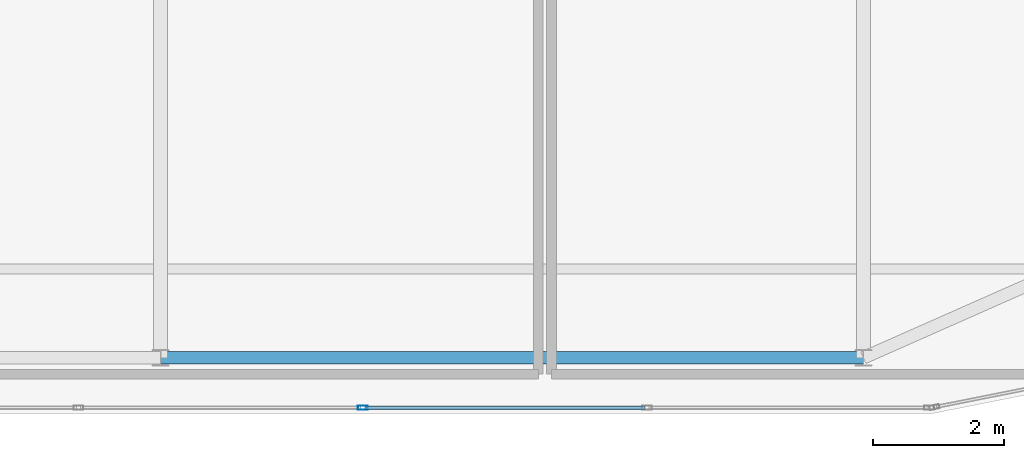
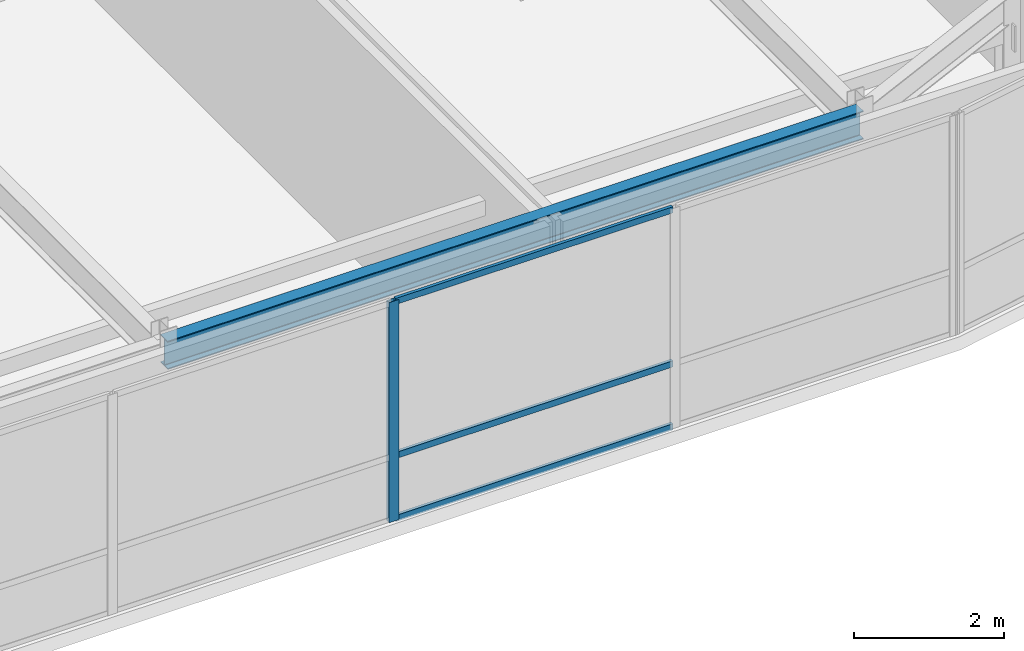
# One storey, part 12 of 36: 4 members, 1 beam, 1 element without a shape of its own.
"""IFC4 building model written with IfcOpenShell, lengths in metres."""

from ifc_helpers import new_model, si_unit, direction, frame, origin, origin_2d, place, context, subcontext, project, spatial, hollow_rectangle, i_section, extrude, source, transform, mapped, material, layer, layer_set, material_profile, profile_set, type_object, type_shapes, element, aggregate, save


model = new_model("IFC4")

# Units and contexts
model_context = context("Model", 3, precision=1e-05, world=origin(), true_north=direction((0.0, 1.0)))
body_context = subcontext(model_context, "Body", "Model", "MODEL_VIEW")
ifc_project = project(units=[si_unit("LENGTHUNIT", "METRE"), si_unit("AREAUNIT", "SQUARE_METRE"), si_unit("VOLUMEUNIT", "CUBIC_METRE"), si_unit("PLANEANGLEUNIT", "RADIAN"), si_unit("MASSUNIT", "GRAM", prefix="KILO")], contexts=[model_context])

# Site, building, storey
site_placement = place(None, origin())
site = spatial("IfcSite", under=ifc_project, at=site_placement, CompositionType="ELEMENT")
building_placement = place(site_placement, origin())
building = spatial("IfcBuilding", under=site, at=building_placement, Name="Tolvann Quenvar Hotel", CompositionType="ELEMENT")
storey_placement = place(building_placement, frame((0.0, 0.0, 302.35009765625)))
storey = spatial("IfcBuildingStorey", under=building, at=storey_placement, Name="L80", CompositionType="ELEMENT", Elevation=302.35009765625)

# Beam
ifc_material_1 = material(Name="Steel Grade 350", Category="steel")
ifc_material_profile_1 = material_profile(ifc_material_1, i_section(OverallWidth=0.19091796875, OverallDepth=0.4599609375, WebThickness=0.010009765625, FlangeThickness=0.01611328125, FilletRadius=0.011474609375, at=origin_2d()), Name="460UB82")
ifc_profile_set_1 = profile_set([ifc_material_profile_1], Name="Steel Grade 350")
beam_type = type_object("IfcBeamType", Name="BM_SPAND_460UB82", PredefinedType="SPANDREL", material=ifc_profile_set_1)
shared_shape_1 = source(origin(), body_context, "Body", "SweptSolid", [
    extrude(i_section(OverallWidth=0.19091796875, OverallDepth=0.4599609375, WebThickness=0.010009765625, FlangeThickness=0.01611328125, FilletRadius=0.011474609375, at=origin_2d()), origin(), (0.0, 0.0, 1.0), 10.699951171875),
])
type_shapes(beam_type, [shared_shape_1])
beam_placement = place(storey_placement, frame((22.050048828125, 7.050048828125, 3.349853515625), z_axis=(1.0, 0.0, 0.0), x_axis=(0.0, 1.0, 0.0)))
element("IfcBeam", 1, at=beam_placement, inside=storey, type_object=beam_type, Name="BM-L80-EW-2-E2-FP2", PredefinedType="SPANDREL", context=body_context, shape_type="MappedRepresentation", body=[
    mapped(shared_shape_1, transform((0.0, 0.0, 0.0), x_axis=(1.0, 0.0, 0.0), y_axis=(0.0, 1.0, 0.0), z_axis=(0.0, 0.0, 1.0), scale=1.0)),
])

# Curtain wall, members
ifc_material_2 = material(Name="Thermally broken anodised architectural aluminium 6063-T6 and laminated low-E glass", Category="aluminium")
ifc_layer = layer(ifc_material_2, 0.179931640625)
ifc_layer_set = layer_set([ifc_layer], Name="Thermally broken anodised architectural aluminium 6063-T6 and laminated low-E glass")
curtain_wall_type = type_object("IfcCurtainWallType", Name="CW_SYS_LANT_06", PredefinedType="USERDEFINED", material=ifc_layer_set)
curtain_wall_placement = place(storey_placement, origin())
curtain_wall = element("IfcCurtainWall", 2, at=curtain_wall_placement, inside=storey, type_object=curtain_wall_type, Name="Curtain Wall CW-LANT-06 (CWR-L80-E04)", ObjectType="UNITISED CURTAIN WALL", PredefinedType="USERDEFINED")
ifc_material_3 = material(Name="Anodised architectural aluminium 6063-T6 framing", Category="aluminium")
ifc_material_profile_2 = material_profile(ifc_material_3, hollow_rectangle(XDim=0.050048828125, YDim=0.10009765625, WallThickness=0.0029296875, at=origin_2d()), Name="100x50x3RHS")
ifc_profile_set_2 = profile_set([ifc_material_profile_2], Name="Anodised architectural aluminium 6063-T6 framing")
member_type_1 = type_object("IfcMemberType", Name="CW_TRAN_100x50", PredefinedType="USERDEFINED", material=ifc_profile_set_2)
shared_shape_2 = source(origin(), body_context, "Body", "SweptSolid", [
    extrude(hollow_rectangle(XDim=0.050048828125, YDim=0.10009765625, WallThickness=0.0029296875, at=origin_2d()), origin(), (0.0, 0.0, 1.0), 4.262451171875),
])
type_shapes(member_type_1, [shared_shape_2])
member_1_placement = place(storey_placement, frame((25.16015625, 6.2900390625, 0.02490234375), z_axis=(1.0, 0.0, 0.0), x_axis=(0.0, 1.0, 0.0)))
member_1 = element("IfcMember", 3, at=member_1_placement, type_object=member_type_1, Name="CW-LANT-06 transom 5.1", ObjectType="TRANSOM", PredefinedType="USERDEFINED", context=body_context, shape_type="MappedRepresentation", body=[
    mapped(shared_shape_2, transform((0.0, 0.0, 0.0), x_axis=(1.0, 0.0, 0.0), y_axis=(0.0, 1.0, 0.0), z_axis=(0.0, 0.0, 1.0), scale=1.0)),
])
member_2_placement = place(storey_placement, frame((25.16015625, 6.2900390625, 1.0498046875), z_axis=(1.0, 0.0, 0.0), x_axis=(0.0, 1.0, 0.0)))
member_2 = element("IfcMember", 4, at=member_2_placement, type_object=member_type_1, Name="CW-LANT-06 transom 5.2", ObjectType="TRANSOM", PredefinedType="USERDEFINED", context=body_context, shape_type="MappedRepresentation", body=[
    mapped(shared_shape_2, transform((0.0, 0.0, 0.0), x_axis=(1.0, 0.0, 0.0), y_axis=(0.0, 1.0, 0.0), z_axis=(0.0, 0.0, 1.0), scale=1.0)),
])
member_3_placement = place(storey_placement, frame((25.16015625, 6.2900390625, 3.554931640625), z_axis=(1.0, 0.0, 0.0), x_axis=(0.0, 1.0, 0.0)))
member_3 = element("IfcMember", 5, at=member_3_placement, type_object=member_type_1, Name="CW-LANT-06 transom 5.3", ObjectType="TRANSOM", PredefinedType="USERDEFINED", context=body_context, shape_type="MappedRepresentation", body=[
    mapped(shared_shape_2, transform((0.0, 0.0, 0.0), x_axis=(1.0, 0.0, 0.0), y_axis=(0.0, 1.0, 0.0), z_axis=(0.0, 0.0, 1.0), scale=1.0)),
])
ifc_material_profile_3 = material_profile(ifc_material_3, hollow_rectangle(XDim=0.06494140625, YDim=0.14990234375, WallThickness=0.00390625, at=origin_2d()), Name="150x65x4RHS")
ifc_profile_set_3 = profile_set([ifc_material_profile_3], Name="Anodised architectural aluminium 6063-T6 framing")
member_type_2 = type_object("IfcMemberType", Name="CW_MULL_150x65", PredefinedType="MULLION", material=ifc_profile_set_3)
shared_shape_3 = source(origin(), body_context, "Body", "SweptSolid", [
    extrude(hollow_rectangle(XDim=0.06494140625, YDim=0.14990234375, WallThickness=0.00390625, at=origin_2d()), origin(), (0.0, 0.0, 1.0), 3.579833984375),
])
type_shapes(member_type_2, [shared_shape_3])
member_4_placement = place(storey_placement, frame((25.127685546875, 6.2900390625, 0.0), z_axis=(0.0, 0.0, 1.0), x_axis=(0.0, 1.0, 0.0)))
member_4 = element("IfcMember", 6, at=member_4_placement, type_object=member_type_2, Name="CW-LANT-06 mullion 5", PredefinedType="MULLION", context=body_context, shape_type="MappedRepresentation", body=[
    mapped(shared_shape_3, transform((0.0, 0.0, 0.0), x_axis=(1.0, 0.0, 0.0), y_axis=(0.0, 1.0, 0.0), z_axis=(0.0, 0.0, 1.0), scale=1.0)),
])
aggregate(curtain_wall, [member_4, member_1, member_2, member_3])

save(model, "model.ifc")
